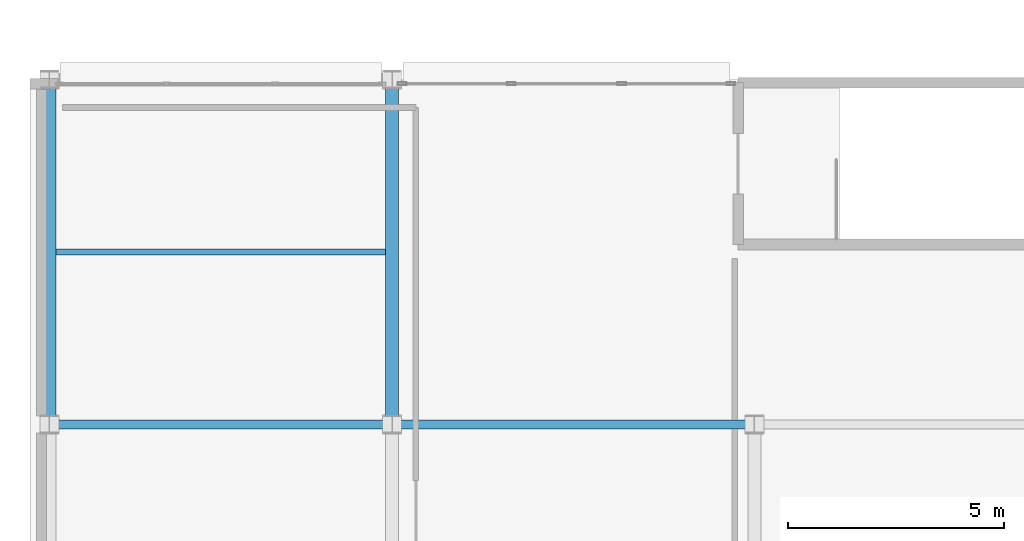
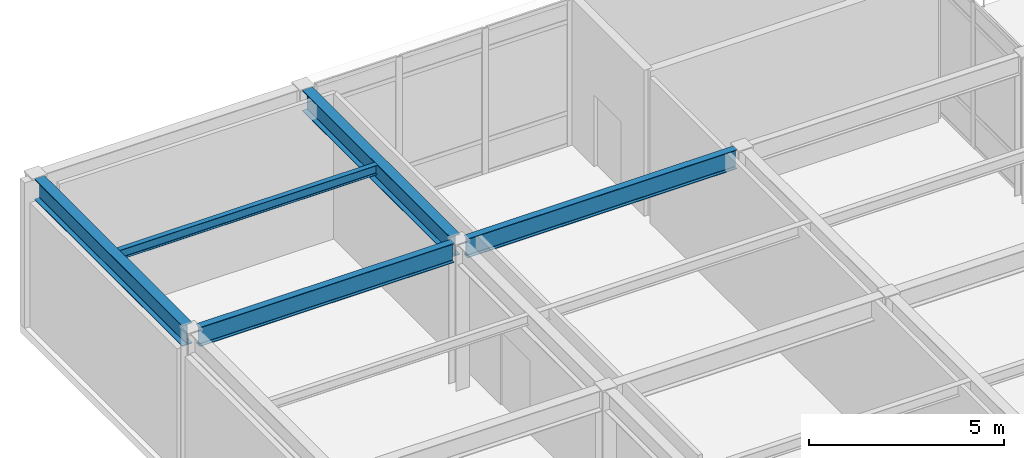
# One storey, part 12 of 61: 5 beams.
"""IFC4 building model written with IfcOpenShell, lengths in metres."""

from ifc_helpers import new_model, si_unit, direction, frame, origin, origin_2d, place, context, subcontext, project, spatial, i_section, extrude, material, material_profile, profile_set, type_object, element, save


model = new_model("IFC4")

# Units and contexts
model_context = context("Model", 3, precision=1e-05, world=origin(), true_north=direction((0.0, 1.0)))
body_context = subcontext(model_context, "Body", "Model", "MODEL_VIEW")
ifc_project = project(units=[si_unit("LENGTHUNIT", "METRE"), si_unit("AREAUNIT", "SQUARE_METRE"), si_unit("VOLUMEUNIT", "CUBIC_METRE"), si_unit("PLANEANGLEUNIT", "RADIAN"), si_unit("MASSUNIT", "GRAM", prefix="KILO")], contexts=[model_context])

# Site, building, storey
site_placement = place(None, origin())
site = spatial("IfcSite", under=ifc_project, at=site_placement, CompositionType="ELEMENT")
building_placement = place(site_placement, origin())
building = spatial("IfcBuilding", under=site, at=building_placement, Name="Kazehara Bluff Congress Hotel", CompositionType="ELEMENT")
storey_placement = place(building_placement, frame((0.0, 0.0, 19.800048828125)))
storey = spatial("IfcBuildingStorey", under=building, at=storey_placement, Name="L04", CompositionType="ELEMENT", Elevation=19.800048828125)

# Beams
ifc_material_1 = material(Name="Steel SN490B", Category="steel")
ifc_material_profile_1 = material_profile(ifc_material_1, i_section(OverallWidth=0.300048828125, OverallDepth=0.64990234375, WebThickness=0.011962890625, FlangeThickness=0.02001953125, FilletRadius=0.012939453125, at=origin_2d()))
ifc_profile_set_1 = profile_set([ifc_material_profile_1], Name="Steel SN490B")
beam_type_1 = type_object("IfcBeamType", Name="TP-G-03", PredefinedType="BEAM", material=ifc_profile_set_1)
for number, where, z_axis, x_axis, name in (
    (1, (59.699951171875, 48.64990234375, 4.2548828125), (0.0, 1.0, 0.0), (-1.0, 0.0, 0.0), "L04 girder G-03 4"),
    (2, (67.64990234375, 48.64990234375, 4.2548828125), (0.0, 1.0, 0.0), (-1.0, 0.0, 0.0), "L04 girder G-03 8"),
):
    element("IfcBeam", number, at=place(storey_placement, frame(where, z_axis=z_axis, x_axis=x_axis)), inside=storey, type_object=beam_type_1, Name=name, PredefinedType="BEAM", context=body_context, shape_type="SweptSolid", body=[
        extrude(i_section(OverallWidth=0.300048828125, OverallDepth=0.64990234375, WebThickness=0.011962890625, FlangeThickness=0.02001953125, FilletRadius=0.012939453125, at=origin_2d()), origin(), (0.0, 0.0, 1.0), 7.60009765625),
    ])
ifc_material_2 = material(Name="Steel SN400B", Category="steel")
ifc_material_profile_2 = material_profile(ifc_material_2, i_section(OverallWidth=0.14990234375, OverallDepth=0.300048828125, WebThickness=0.006591796875, FlangeThickness=0.009033203125, FilletRadius=0.012939453125, at=origin_2d()))
ifc_profile_set_2 = profile_set([ifc_material_profile_2], Name="Steel SN400B")
beam_type_2 = type_object("IfcBeamType", Name="TP-J-01", PredefinedType="JOIST", material=ifc_profile_set_2)
beam_1_placement = place(storey_placement, frame((59.85009765625, 52.449951171875, 4.429931640625), z_axis=(1.0, 0.0, 0.0), x_axis=(0.0, 1.0, 0.0)))
element("IfcBeam", 3, at=beam_1_placement, inside=storey, type_object=beam_type_2, Name="L04 secondary joist J-01 3", PredefinedType="JOIST", context=body_context, shape_type="SweptSolid", body=[
    extrude(i_section(OverallWidth=0.14990234375, OverallDepth=0.300048828125, WebThickness=0.006591796875, FlangeThickness=0.009033203125, FilletRadius=0.012939453125, at=origin_2d()), origin(), (0.0, 0.0, 1.0), 7.64990234375),
])
ifc_material_3 = material(Name="Steel SN490B", Category="steel")
ifc_material_profile_3 = material_profile(ifc_material_3, i_section(OverallWidth=0.199951171875, OverallDepth=0.60009765625, WebThickness=0.010986328125, FlangeThickness=0.01708984375, FilletRadius=0.012939453125, at=origin_2d()))
ifc_profile_set_3 = profile_set([ifc_material_profile_3], Name="Steel SN490B")
beam_type_3 = type_object("IfcBeamType", Name="TP-SP-02", PredefinedType="SPANDREL", material=ifc_profile_set_3)
beam_2_placement = place(storey_placement, frame((59.89990234375, 48.449951171875, 4.280029296875), z_axis=(1.0, 0.0, 0.0), x_axis=(0.0, 1.0, 0.0)))
element("IfcBeam", 4, at=beam_2_placement, inside=storey, type_object=beam_type_3, Name="L04 girder SP-02 27", PredefinedType="SPANDREL", context=body_context, shape_type="SweptSolid", body=[
    extrude(i_section(OverallWidth=0.199951171875, OverallDepth=0.60009765625, WebThickness=0.010986328125, FlangeThickness=0.01708984375, FilletRadius=0.012939453125, at=origin_2d()), origin(), (0.0, 0.0, 1.0), 7.550048828125),
])
beam_3_placement = place(storey_placement, frame((67.85009765625, 48.449951171875, 4.280029296875), z_axis=(1.0, 0.0, 0.0), x_axis=(0.0, 1.0, 0.0)))
element("IfcBeam", 5, at=beam_3_placement, inside=storey, type_object=beam_type_3, Name="L04 girder SP-02 28", PredefinedType="SPANDREL", context=body_context, shape_type="SweptSolid", body=[
    extrude(i_section(OverallWidth=0.199951171875, OverallDepth=0.60009765625, WebThickness=0.010986328125, FlangeThickness=0.01708984375, FilletRadius=0.012939453125, at=origin_2d()), origin(), (0.0, 0.0, 1.0), 8.0),
])

save(model, "model.ifc")
